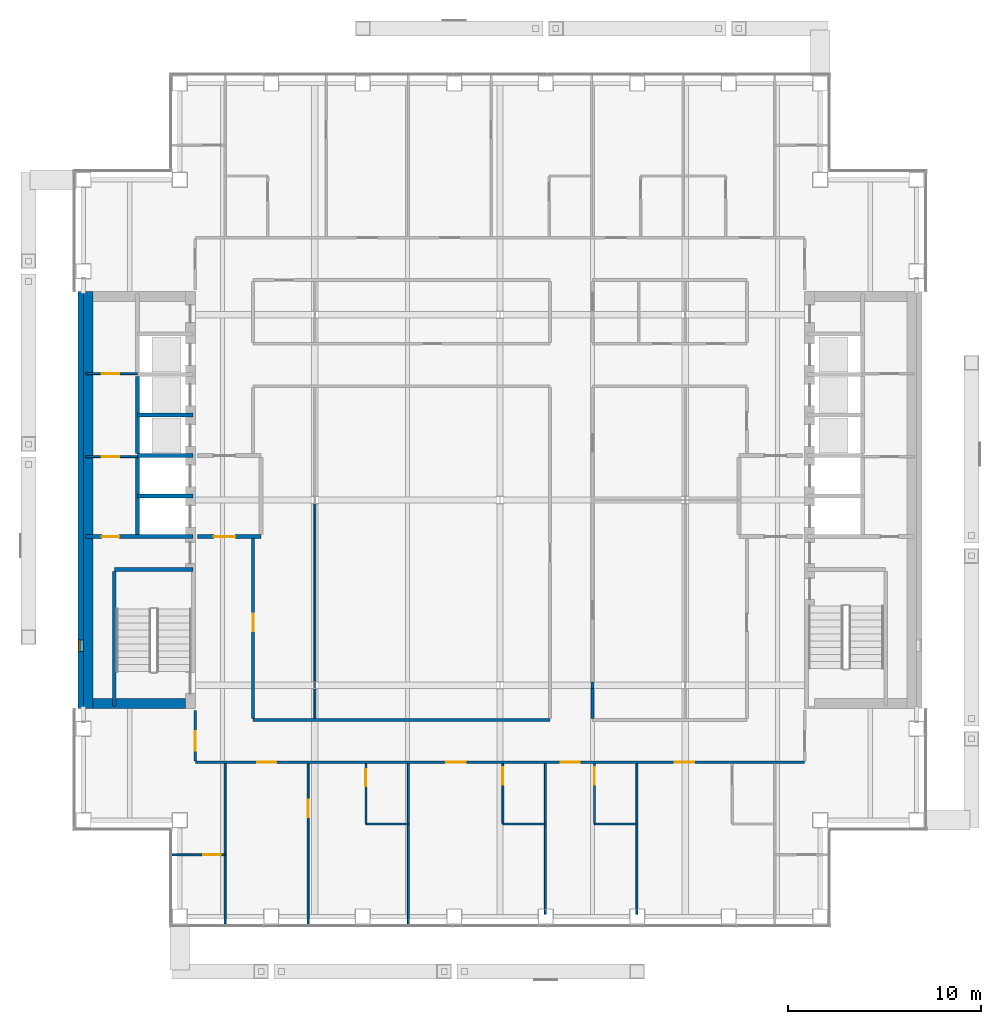
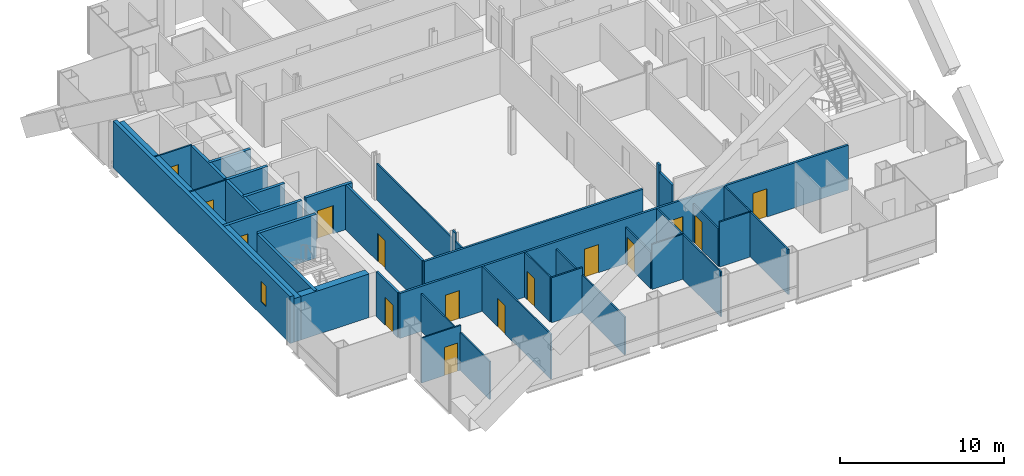
# One storey, part 12 of 18: 35 walls, 15 doors, 1 window, 16 openings.
"""IFC4 building model written with IfcOpenShell, lengths in metres."""

from ifc_helpers import new_model, si_unit, direction, frame, frame_2d, origin, place, context, subcontext, project, spatial, rectangle, extrude, material, layer, layer_set, type_object, element, fill, save


model = new_model("IFC4")

# Units and contexts
model_context = context("Model", 3, precision=1e-05, world=origin(), true_north=direction((0.0, 1.0)))
body_context = subcontext(model_context, "Body", "Model", "MODEL_VIEW")
ifc_project = project(units=[si_unit("LENGTHUNIT", "METRE"), si_unit("AREAUNIT", "SQUARE_METRE"), si_unit("VOLUMEUNIT", "CUBIC_METRE"), si_unit("PLANEANGLEUNIT", "RADIAN"), si_unit("MASSUNIT", "GRAM", prefix="KILO")], contexts=[model_context])

# Site, building, storey
site_placement = place(None, origin())
site = spatial("IfcSite", under=ifc_project, at=site_placement, CompositionType="ELEMENT")
building_placement = place(site_placement, origin())
building = spatial("IfcBuilding", under=site, at=building_placement, Name="Cobrizo Arcos Hotel Tower", CompositionType="ELEMENT")
storey_placement = place(building_placement, frame((0.0, 0.0, 158.5)))
storey = spatial("IfcBuildingStorey", under=building, at=storey_placement, Name="L40", CompositionType="ELEMENT", Elevation=158.5)

# Wall, openings, doors
ifc_material_1 = material(Name="Gypsum board partition")
ifc_layer_1 = layer(ifc_material_1, 0.14990234375)
ifc_layer_set_1 = layer_set([ifc_layer_1], Name="Corridor wall EI 60 150")
wall_type_1 = type_object("IfcWallType", Name="Corridor wall EI 60 150", PredefinedType="PARTITIONING", material=ifc_layer_set_1)
wall_1_placement = place(storey_placement, frame((-15.800048828125, -13.60009765625, 0.0), z_axis=(0.0, 0.0, 1.0), x_axis=(1.0, 0.0, 0.0)))
wall_1 = element("IfcWall", 1, at=wall_1_placement, inside=storey, type_object=wall_type_1, Name="Partition 007", PredefinedType="PARTITIONING", context=body_context, shape_type="SweptSolid", body=[
    extrude(rectangle(XDim=31.60009765625, YDim=0.14990234375, at=frame_2d((15.800048828125, 0.0))), origin(), (0.0, 0.0, 1.0), 3.35009765625),
])
opening_1_placement = place(wall_1_placement, frame((3.2060546875, 0.0, 0.0)))
opening_1 = element("IfcOpeningElement", 2, at=opening_1_placement, cuts=wall_1, Name="Opening GD-05", PredefinedType="OPENING", context=body_context, shape_type="SweptSolid", body=[
    extrude(rectangle(XDim=1.0, YDim=2.10009765625, at=frame_2d((0.5, 1.050048828125))), frame((0.0, 0.0869140625, 0.0), z_axis=(0.0, -1.0, 0.0), x_axis=(1.0, 0.0, 0.0)), (0.0, 0.0, 1.0), 0.173828125),
])
opening_2_placement = place(wall_1_placement, frame((13.013916015625, 0.0, 0.0)))
opening_2 = element("IfcOpeningElement", 3, at=opening_2_placement, cuts=wall_1, Name="Opening GD-06", PredefinedType="OPENING", context=body_context, shape_type="SweptSolid", body=[
    extrude(rectangle(XDim=1.0, YDim=2.10009765625, at=frame_2d((0.5, 1.050048828125))), frame((0.0, 0.0869140625, 0.0), z_axis=(0.0, -1.0, 0.0), x_axis=(1.0, 0.0, 0.0)), (0.0, 0.0, 1.0), 0.173828125),
])
opening_3_placement = place(wall_1_placement, frame((18.943115234375, 0.0, 0.0)))
opening_3 = element("IfcOpeningElement", 4, at=opening_3_placement, cuts=wall_1, Name="Opening GD-07", PredefinedType="OPENING", context=body_context, shape_type="SweptSolid", body=[
    extrude(rectangle(XDim=1.0, YDim=2.10009765625, at=frame_2d((0.5, 1.050048828125))), frame((0.0, 0.0869140625, 0.0), z_axis=(0.0, -1.0, 0.0), x_axis=(1.0, 0.0, 0.0)), (0.0, 0.0, 1.0), 0.173828125),
])
opening_4_placement = place(wall_1_placement, frame((24.8720703125, 0.0, 0.0)))
opening_4 = element("IfcOpeningElement", 5, at=opening_4_placement, cuts=wall_1, Name="Opening GD-08", PredefinedType="OPENING", context=body_context, shape_type="SweptSolid", body=[
    extrude(rectangle(XDim=1.0, YDim=2.10009765625, at=frame_2d((0.5, 1.050048828125))), frame((0.0, 0.0869140625, 0.0), z_axis=(0.0, -1.0, 0.0), x_axis=(1.0, 0.0, 0.0)), (0.0, 0.0, 1.0), 0.173828125),
])
ifc_material_2 = material(Name="Timber door leaf", Category="wood")
door_type_1 = type_object("IfcDoorType", Name="Guest room door FD30S 1000x2100", OperationType="SINGLE_SWING_LEFT", PredefinedType="DOOR", material=ifc_material_2)
door_1_placement = place(opening_1_placement, origin())
door_1 = element("IfcDoor", 6, at=door_1_placement, inside=storey, type_object=door_type_1, Name="Door GD-05", OperationType="SINGLE_SWING_RIGHT", OverallHeight=2.10009765625, OverallWidth=1.0, PredefinedType="DOOR", context=body_context, shape_type="SweptSolid", body=[
    extrude(rectangle(XDim=1.0, YDim=2.10009765625, at=frame_2d((0.5, 1.050048828125))), frame((0.0, 0.02490234375, 0.0), z_axis=(0.0, -1.0, 0.0), x_axis=(1.0, 0.0, 0.0)), (0.0, 0.0, 1.0), 0.050048828125),
])
fill(opening_1, door_1)
door_2_placement = place(opening_2_placement, origin())
door_2 = element("IfcDoor", 7, at=door_2_placement, inside=storey, type_object=door_type_1, Name="Door GD-06", OperationType="SINGLE_SWING_LEFT", OverallHeight=2.10009765625, OverallWidth=1.0, PredefinedType="DOOR", context=body_context, shape_type="SweptSolid", body=[
    extrude(rectangle(XDim=1.0, YDim=2.10009765625, at=frame_2d((0.5, 1.050048828125))), frame((0.0, 0.02490234375, 0.0), z_axis=(0.0, -1.0, 0.0), x_axis=(1.0, 0.0, 0.0)), (0.0, 0.0, 1.0), 0.050048828125),
])
fill(opening_2, door_2)
door_3_placement = place(opening_3_placement, origin())
door_3 = element("IfcDoor", 8, at=door_3_placement, inside=storey, type_object=door_type_1, Name="Door GD-07", OperationType="SINGLE_SWING_RIGHT", OverallHeight=2.10009765625, OverallWidth=1.0, PredefinedType="DOOR", context=body_context, shape_type="SweptSolid", body=[
    extrude(rectangle(XDim=1.0, YDim=2.10009765625, at=frame_2d((0.5, 1.050048828125))), frame((0.0, 0.02490234375, 0.0), z_axis=(0.0, -1.0, 0.0), x_axis=(1.0, 0.0, 0.0)), (0.0, 0.0, 1.0), 0.050048828125),
])
fill(opening_3, door_3)
door_4_placement = place(opening_4_placement, origin())
door_4 = element("IfcDoor", 9, at=door_4_placement, inside=storey, type_object=door_type_1, Name="Door GD-08", OperationType="SINGLE_SWING_LEFT", OverallHeight=2.10009765625, OverallWidth=1.0, PredefinedType="DOOR", context=body_context, shape_type="SweptSolid", body=[
    extrude(rectangle(XDim=1.0, YDim=2.10009765625, at=frame_2d((0.5, 1.050048828125))), frame((0.0, 0.02490234375, 0.0), z_axis=(0.0, -1.0, 0.0), x_axis=(1.0, 0.0, 0.0)), (0.0, 0.0, 1.0), 0.050048828125),
])
fill(opening_4, door_4)

# Wall
wall_2_placement = place(storey_placement, frame((-12.800048828125, -11.39990234375, 0.0), z_axis=(0.0, 0.0, 1.0), x_axis=(1.0, 0.0, 0.0)))
element("IfcWall", 10, at=wall_2_placement, inside=storey, type_object=wall_type_1, Name="Partition 008", PredefinedType="PARTITIONING", context=body_context, shape_type="SweptSolid", body=[
    extrude(rectangle(XDim=15.400146484375, YDim=0.14990234375, at=frame_2d((7.7001953125, 0.0))), origin(), (0.0, 0.0, 1.0), 3.35009765625),
])

# Wall, opening, door
wall_3_placement = place(storey_placement, frame((-15.800048828125, -13.52490234375, 0.0), z_axis=(0.0, 0.0, 1.0), x_axis=(0.0, 1.0, 0.0)))
wall_3 = element("IfcWall", 11, at=wall_3_placement, inside=storey, type_object=wall_type_1, Name="Partition 052", PredefinedType="PARTITIONING", context=body_context, shape_type="SweptSolid", body=[
    extrude(rectangle(XDim=2.60498046875, YDim=0.14990234375, at=frame_2d((1.302490234375, 0.0))), origin(), (0.0, 0.0, 1.0), 3.35009765625),
])
opening_5_placement = place(wall_3_placement, frame((0.52490234375, 0.0, 0.0)))
opening_5 = element("IfcOpeningElement", 12, at=opening_5_placement, cuts=wall_3, Name="Opening GD-09", PredefinedType="OPENING", context=body_context, shape_type="SweptSolid", body=[
    extrude(rectangle(XDim=1.0, YDim=2.10009765625, at=frame_2d((0.5, 1.050048828125))), frame((0.0, 0.0869140625, 0.0), z_axis=(0.0, -1.0, 0.0), x_axis=(1.0, 0.0, 0.0)), (0.0, 0.0, 1.0), 0.173828125),
])
door_5_placement = place(opening_5_placement, origin())
door_5 = element("IfcDoor", 13, at=door_5_placement, inside=storey, type_object=door_type_1, Name="Door GD-09", OperationType="SINGLE_SWING_RIGHT", OverallHeight=2.10009765625, OverallWidth=1.0, PredefinedType="DOOR", context=body_context, shape_type="SweptSolid", body=[
    extrude(rectangle(XDim=1.0, YDim=2.10009765625, at=frame_2d((0.5, 1.050048828125))), frame((0.0, 0.02490234375, 0.0), z_axis=(0.0, -1.0, 0.0), x_axis=(1.0, 0.0, 0.0)), (0.0, 0.0, 1.0), 0.050048828125),
])
fill(opening_5, door_5)

wall_4_placement = place(storey_placement, frame((-12.800048828125, -11.324951171875, 0.0), z_axis=(0.0, 0.0, 1.0), x_axis=(0.0, 1.0, 0.0)))
wall_4 = element("IfcWall", 14, at=wall_4_placement, inside=storey, type_object=wall_type_1, Name="Partition 056", PredefinedType="PARTITIONING", context=body_context, shape_type="SweptSolid", body=[
    extrude(rectangle(XDim=9.324951171875, YDim=0.14990234375, at=frame_2d((4.66259765625, 0.0))), origin(), (0.0, 0.0, 1.0), 3.35009765625),
])
opening_6_placement = place(wall_4_placement, frame((4.52490234375, 0.0, 0.0)))
opening_6 = element("IfcOpeningElement", 15, at=opening_6_placement, cuts=wall_4, Name="Opening RD-17", PredefinedType="OPENING", context=body_context, shape_type="SweptSolid", body=[
    extrude(rectangle(XDim=0.89990234375, YDim=2.10009765625, at=frame_2d((0.449951171875, 1.050048828125))), frame((0.0, 0.0869140625, 0.0), z_axis=(0.0, -1.0, 0.0), x_axis=(1.0, 0.0, 0.0)), (0.0, 0.0, 1.0), 0.173828125),
])
door_type_2 = type_object("IfcDoorType", Name="Room door FD30 900x2100", OperationType="SINGLE_SWING_LEFT", PredefinedType="DOOR", material=ifc_material_2)
door_6_placement = place(opening_6_placement, origin())
door_6 = element("IfcDoor", 16, at=door_6_placement, inside=storey, type_object=door_type_2, Name="Door RD-17", OperationType="SINGLE_SWING_RIGHT", OverallHeight=2.10009765625, OverallWidth=0.89990234375, PredefinedType="DOOR", context=body_context, shape_type="SweptSolid", body=[
    extrude(rectangle(XDim=0.89990234375, YDim=2.10009765625, at=frame_2d((0.449951171875, 1.050048828125))), frame((0.0, 0.02490234375, 0.0), z_axis=(0.0, -1.0, 0.0), x_axis=(1.0, 0.0, 0.0)), (0.0, 0.0, 1.0), 0.050048828125),
])
fill(opening_6, door_6)

# Walls
wall_5_placement = place(storey_placement, frame((4.800048828125, -11.324951171875, 0.0), z_axis=(0.0, 0.0, 1.0), x_axis=(0.0, 1.0, 0.0)))
element("IfcWall", 17, at=wall_5_placement, inside=storey, type_object=wall_type_1, Name="Partition 082", PredefinedType="PARTITIONING", context=body_context, shape_type="SweptSolid", body=[
    extrude(rectangle(XDim=1.56103515625, YDim=0.14990234375, at=frame_2d((0.780517578125, 0.0))), origin(), (0.0, 0.0, 1.0), 2.81689453125),
])
wall_6_placement = place(storey_placement, frame((4.800048828125, -9.763916015625, 0.0), z_axis=(0.0, 0.0, 1.0), x_axis=(0.0, 1.0, 0.0)))
element("IfcWall", 18, at=wall_6_placement, inside=storey, type_object=wall_type_1, Name="Partition 083", PredefinedType="PARTITIONING", context=body_context, shape_type="SweptSolid", body=[
    extrude(rectangle(XDim=0.327880859375, YDim=0.14990234375, at=frame_2d((0.1640625, 0.0))), origin(), (0.0, 0.0, 1.0), 3.35009765625),
])

# Wall, opening, window
ifc_material_3 = material(Name="Aluminium composite panel pale metal", Category="aluminium")
ifc_layer_2 = layer(ifc_material_3, 0.27490234375)
ifc_layer_set_2 = layer_set([ifc_layer_2], Name="EW-1 insulated panel wall 275")
wall_type_2 = type_object("IfcWallType", Name="EW-1 insulated panel wall 275", PredefinedType="SOLIDWALL", material=ifc_layer_set_2)
wall_7_placement = place(storey_placement, frame((-21.737548828125, 10.800048828125, 0.0), z_axis=(0.0, 0.0, 1.0), x_axis=(0.0, -1.0, 0.0)))
wall_7 = element("IfcWall", 19, at=wall_7_placement, inside=storey, type_object=wall_type_2, Name="Core face wall L40 W", PredefinedType="SOLIDWALL", context=body_context, shape_type="SweptSolid", body=[
    extrude(rectangle(XDim=21.60009765625, YDim=0.27490234375, at=frame_2d((10.800048828125, 0.0))), origin(), (0.0, 0.0, 1.0), 3.5),
])
opening_7_placement = place(wall_7_placement, frame((18.050048828125, 0.0, 1.0)))
opening_7 = element("IfcOpeningElement", 20, at=opening_7_placement, cuts=wall_7, Name="Opening W-88", PredefinedType="OPENING", context=body_context, shape_type="SweptSolid", body=[
    extrude(rectangle(XDim=0.60009765625, YDim=1.5, at=frame_2d((0.300048828125, 0.75))), frame((0.0, 0.1494140625, 0.0), z_axis=(0.0, -1.0, 0.0), x_axis=(1.0, 0.0, 0.0)), (0.0, 0.0, 1.0), 0.298828125),
])
ifc_material_4 = material(Name="Aluminium 6063-T6 and clear laminated glass", Category="aluminium")
window_type = type_object("IfcWindowType", Name="W-C1 core stair slot window 600x1500", PartitioningType="SINGLE_PANEL", PredefinedType="WINDOW", material=ifc_material_4)
window_placement = place(opening_7_placement, origin())
window = element("IfcWindow", 21, at=window_placement, inside=storey, type_object=window_type, Name="Core face wall L40 W window W-88", OverallHeight=1.5, OverallWidth=0.60009765625, PartitioningType="SINGLE_PANEL", PredefinedType="WINDOW", context=body_context, shape_type="SweptSolid", body=[
    extrude(rectangle(XDim=0.60009765625, YDim=1.5, at=frame_2d((0.300048828125, 0.75))), frame((0.0, -0.04736328125, 0.0), z_axis=(0.0, -1.0, 0.0), x_axis=(1.0, 0.0, 0.0)), (0.0, 0.0, 1.0), 0.06005859375),
])
fill(opening_7, window)

# Wall, opening, door
ifc_layer_3 = layer(ifc_material_1, 0.10009765625)
ifc_layer_set_3 = layer_set([ifc_layer_3], Name="Partition EI 30 100")
wall_type_3 = type_object("IfcWallType", Name="Partition EI 30 100", PredefinedType="PARTITIONING", material=ifc_layer_set_3)
wall_8_placement = place(storey_placement, frame((-17.030029296875, -18.39990234375, 0.0), z_axis=(0.0, 0.0, 1.0), x_axis=(1.0, 0.0, 0.0)))
wall_8 = element("IfcWall", 22, at=wall_8_placement, inside=storey, type_object=wall_type_3, Name="Partition 001", PredefinedType="PARTITIONING", context=body_context, shape_type="SweptSolid", body=[
    extrude(rectangle(XDim=2.780029296875, YDim=0.10009765625, at=frame_2d((1.39013671875, 0.0))), origin(), (0.0, 0.0, 1.0), 3.35009765625),
])
opening_8_placement = place(wall_8_placement, frame((1.639892578125, 0.0, 0.0)))
opening_8 = element("IfcOpeningElement", 23, at=opening_8_placement, cuts=wall_8, Name="Opening ED-10", PredefinedType="OPENING", context=body_context, shape_type="SweptSolid", body=[
    extrude(rectangle(XDim=0.89990234375, YDim=2.10009765625, at=frame_2d((0.449951171875, 1.050048828125))), frame((0.0, 0.06201171875, 0.0), z_axis=(0.0, -1.0, 0.0), x_axis=(1.0, 0.0, 0.0)), (0.0, 0.0, 1.0), 0.1240234375),
])
door_type_3 = type_object("IfcDoorType", Name="En-suite door 900x2100", OperationType="SINGLE_SWING_LEFT", PredefinedType="DOOR", material=ifc_material_2)
door_7_placement = place(opening_8_placement, origin())
door_7 = element("IfcDoor", 24, at=door_7_placement, inside=storey, type_object=door_type_3, Name="Door ED-10", OperationType="SINGLE_SWING_RIGHT", OverallHeight=2.10009765625, OverallWidth=0.89990234375, PredefinedType="DOOR", context=body_context, shape_type="SweptSolid", body=[
    extrude(rectangle(XDim=0.89990234375, YDim=2.10009765625, at=frame_2d((0.449951171875, 1.050048828125))), frame((0.0, 0.02490234375, 0.0), z_axis=(0.0, -1.0, 0.0), x_axis=(1.0, 0.0, 0.0)), (0.0, 0.0, 1.0), 0.050048828125),
])
fill(opening_8, door_7)

# Walls
wall_9_placement = place(storey_placement, frame((-6.949951171875, -16.800048828125, 0.0), z_axis=(0.0, 0.0, 1.0), x_axis=(1.0, 0.0, 0.0)))
element("IfcWall", 25, at=wall_9_placement, inside=storey, type_object=wall_type_3, Name="Partition 003", PredefinedType="PARTITIONING", context=body_context, shape_type="SweptSolid", body=[
    extrude(rectangle(XDim=2.199951171875, YDim=0.10009765625, at=frame_2d((1.10009765625, 0.0))), origin(), (0.0, 0.0, 1.0), 3.35009765625),
])
for number, where, z_axis, x_axis, name in (
    (26, (0.14990234375, -16.800048828125, 0.0), (0.0, 0.0, 1.0), (1.0, 0.0, 0.0), "Partition 004"),
    (27, (4.89990234375, -16.800048828125, 0.0), (0.0, 0.0, 1.0), (1.0, 0.0, 0.0), "Partition 005"),
):
    element("IfcWall", number, at=place(storey_placement, frame(where, z_axis=z_axis, x_axis=x_axis)), inside=storey, type_object=wall_type_3, Name=name, PredefinedType="PARTITIONING", context=body_context, shape_type="SweptSolid", body=[
        extrude(rectangle(XDim=2.2001953125, YDim=0.10009765625, at=frame_2d((1.10009765625, 0.0))), origin(), (0.0, 0.0, 1.0), 3.35009765625),
    ])

# Wall, opening, door
wall_10_placement = place(storey_placement, frame((-21.47998046875, 2.25, 0.0), z_axis=(0.0, 0.0, 1.0), x_axis=(1.0, 0.0, 0.0)))
wall_10 = element("IfcWall", 28, at=wall_10_placement, inside=storey, type_object=wall_type_3, Name="Partition 021", PredefinedType="PARTITIONING", context=body_context, shape_type="SweptSolid", body=[
    extrude(rectangle(XDim=2.679931640625, YDim=0.10009765625, at=frame_2d((1.33984375, 0.0))), origin(), (0.0, 0.0, 1.0), 3.25),
])
opening_9_placement = place(wall_10_placement, frame((0.830078125, 0.0, 0.0)))
opening_9 = element("IfcOpeningElement", 29, at=opening_9_placement, cuts=wall_10, Name="Opening RD-02", PredefinedType="OPENING", context=body_context, shape_type="SweptSolid", body=[
    extrude(rectangle(XDim=0.89990234375, YDim=2.10009765625, at=frame_2d((0.449951171875, 1.050048828125))), frame((0.0, 0.06201171875, 0.0), z_axis=(0.0, -1.0, 0.0), x_axis=(1.0, 0.0, 0.0)), (0.0, 0.0, 1.0), 0.1240234375),
])
door_8_placement = place(opening_9_placement, origin())
door_8 = element("IfcDoor", 30, at=door_8_placement, inside=storey, type_object=door_type_2, Name="Door RD-02", OperationType="SINGLE_SWING_RIGHT", OverallHeight=2.10009765625, OverallWidth=0.89990234375, PredefinedType="DOOR", context=body_context, shape_type="SweptSolid", body=[
    extrude(rectangle(XDim=0.89990234375, YDim=2.10009765625, at=frame_2d((0.449951171875, 1.050048828125))), frame((0.0, 0.02490234375, 0.0), z_axis=(0.0, -1.0, 0.0), x_axis=(1.0, 0.0, 0.0)), (0.0, 0.0, 1.0), 0.050048828125),
])
fill(opening_9, door_8)

wall_11_placement = place(storey_placement, frame((-21.47998046875, 6.550048828125, 0.0), z_axis=(0.0, 0.0, 1.0), x_axis=(1.0, 0.0, 0.0)))
wall_11 = element("IfcWall", 31, at=wall_11_placement, inside=storey, type_object=wall_type_3, Name="Partition 033", PredefinedType="PARTITIONING", context=body_context, shape_type="SweptSolid", body=[
    extrude(rectangle(XDim=2.679931640625, YDim=0.10009765625, at=frame_2d((1.33984375, 0.0))), origin(), (0.0, 0.0, 1.0), 3.25),
])
opening_10_placement = place(wall_11_placement, frame((0.830078125, 0.0, 0.0)))
opening_10 = element("IfcOpeningElement", 32, at=opening_10_placement, cuts=wall_11, Name="Opening RD-03", PredefinedType="OPENING", context=body_context, shape_type="SweptSolid", body=[
    extrude(rectangle(XDim=0.89990234375, YDim=2.10009765625, at=frame_2d((0.449951171875, 1.050048828125))), frame((0.0, 0.06201171875, 0.0), z_axis=(0.0, -1.0, 0.0), x_axis=(1.0, 0.0, 0.0)), (0.0, 0.0, 1.0), 0.1240234375),
])
door_9_placement = place(opening_10_placement, origin())
door_9 = element("IfcDoor", 33, at=door_9_placement, inside=storey, type_object=door_type_2, Name="Door RD-03", OperationType="SINGLE_SWING_LEFT", OverallHeight=2.10009765625, OverallWidth=0.89990234375, PredefinedType="DOOR", context=body_context, shape_type="SweptSolid", body=[
    extrude(rectangle(XDim=0.89990234375, YDim=2.10009765625, at=frame_2d((0.449951171875, 1.050048828125))), frame((0.0, 0.02490234375, 0.0), z_axis=(0.0, -1.0, 0.0), x_axis=(1.0, 0.0, 0.0)), (0.0, 0.0, 1.0), 0.050048828125),
])
fill(opening_10, door_9)

# Wall
wall_12_placement = place(storey_placement, frame((-14.25, -22.030029296875, 0.0), z_axis=(0.0, 0.0, 1.0), x_axis=(0.0, 1.0, 0.0)))
element("IfcWall", 34, at=wall_12_placement, inside=storey, type_object=wall_type_3, Name="Partition 054", PredefinedType="PARTITIONING", context=body_context, shape_type="SweptSolid", body=[
    extrude(rectangle(XDim=8.35498046875, YDim=0.10009765625, at=frame_2d((4.177490234375, 0.0))), origin(), (0.0, 0.0, 1.0), 2.81689453125),
])

# Wall, opening, door
wall_13_placement = place(storey_placement, frame((-9.949951171875, -22.030029296875, 0.0), z_axis=(0.0, 0.0, 1.0), x_axis=(0.0, 1.0, 0.0)))
wall_13 = element("IfcWall", 35, at=wall_13_placement, inside=storey, type_object=wall_type_3, Name="Partition 062", PredefinedType="PARTITIONING", context=body_context, shape_type="SweptSolid", body=[
    extrude(rectangle(XDim=8.35498046875, YDim=0.10009765625, at=frame_2d((4.177490234375, 0.0))), origin(), (0.0, 0.0, 1.0), 3.35009765625),
])
opening_11_placement = place(wall_13_placement, frame((5.580078125, 0.0, 0.0)))
opening_11 = element("IfcOpeningElement", 36, at=opening_11_placement, cuts=wall_13, Name="Opening RD-10", PredefinedType="OPENING", context=body_context, shape_type="SweptSolid", body=[
    extrude(rectangle(XDim=0.89990234375, YDim=2.10009765625, at=frame_2d((0.449951171875, 1.050048828125))), frame((0.0, 0.06201171875, 0.0), z_axis=(0.0, -1.0, 0.0), x_axis=(1.0, 0.0, 0.0)), (0.0, 0.0, 1.0), 0.1240234375),
])
door_10_placement = place(opening_11_placement, origin())
door_10 = element("IfcDoor", 37, at=door_10_placement, inside=storey, type_object=door_type_2, Name="Door RD-10", OperationType="SINGLE_SWING_RIGHT", OverallHeight=2.10009765625, OverallWidth=0.89990234375, PredefinedType="DOOR", context=body_context, shape_type="SweptSolid", body=[
    extrude(rectangle(XDim=0.89990234375, YDim=2.10009765625, at=frame_2d((0.449951171875, 1.050048828125))), frame((0.0, 0.02490234375, 0.0), z_axis=(0.0, -1.0, 0.0), x_axis=(1.0, 0.0, 0.0)), (0.0, 0.0, 1.0), 0.050048828125),
])
fill(opening_11, door_10)

# Walls
wall_14_placement = place(storey_placement, frame((-9.60009765625, -11.324951171875, 0.0), z_axis=(0.0, 0.0, 1.0), x_axis=(0.0, 1.0, 0.0)))
element("IfcWall", 38, at=wall_14_placement, inside=storey, type_object=wall_type_3, Name="Partition 063", PredefinedType="PARTITIONING", context=body_context, shape_type="SweptSolid", body=[
    extrude(rectangle(XDim=1.537841796875, YDim=0.10009765625, at=frame_2d((0.76904296875, 0.0))), origin(), (0.0, 0.0, 1.0), 2.72802734375),
])
wall_15_placement = place(storey_placement, frame((-9.60009765625, -9.787109375, 0.0), z_axis=(0.0, 0.0, 1.0), x_axis=(0.0, 1.0, 0.0)))
element("IfcWall", 39, at=wall_15_placement, inside=storey, type_object=wall_type_3, Name="Partition 064", PredefinedType="PARTITIONING", context=body_context, shape_type="SweptSolid", body=[
    extrude(rectangle(XDim=0.3740234375, YDim=0.10009765625, at=frame_2d((0.18701171875, 0.0))), origin(), (0.0, 0.0, 1.0), 3.35009765625),
])
wall_16_placement = place(storey_placement, frame((-9.60009765625, -9.4130859375, 0.0), z_axis=(0.0, 0.0, 1.0), x_axis=(0.0, 1.0, 0.0)))
element("IfcWall", 40, at=wall_16_placement, inside=storey, type_object=wall_type_3, Name="Partition 065", PredefinedType="PARTITIONING", context=body_context, shape_type="SweptSolid", body=[
    extrude(rectangle(XDim=9.22607421875, YDim=0.10009765625, at=frame_2d((4.613037109375, 0.0))), origin(), (0.0, 0.0, 1.0), 2.72802734375),
])

# Wall, opening, door
wall_17_placement = place(storey_placement, frame((-6.949951171875, -16.75, 0.0), z_axis=(0.0, 0.0, 1.0), x_axis=(0.0, 1.0, 0.0)))
wall_17 = element("IfcWall", 41, at=wall_17_placement, inside=storey, type_object=wall_type_3, Name="Partition 072", PredefinedType="PARTITIONING", context=body_context, shape_type="SweptSolid", body=[
    extrude(rectangle(XDim=3.074951171875, YDim=0.10009765625, at=frame_2d((1.53759765625, 0.0))), origin(), (0.0, 0.0, 1.0), 3.35009765625),
])
opening_12_placement = place(wall_17_placement, frame((1.89990234375, 0.0, 0.0)))
opening_12 = element("IfcOpeningElement", 42, at=opening_12_placement, cuts=wall_17, Name="Opening ED-06", PredefinedType="OPENING", context=body_context, shape_type="SweptSolid", body=[
    extrude(rectangle(XDim=0.89990234375, YDim=2.10009765625, at=frame_2d((0.449951171875, 1.050048828125))), frame((0.0, 0.06201171875, 0.0), z_axis=(0.0, -1.0, 0.0), x_axis=(1.0, 0.0, 0.0)), (0.0, 0.0, 1.0), 0.1240234375),
])
door_11_placement = place(opening_12_placement, origin())
door_11 = element("IfcDoor", 43, at=door_11_placement, inside=storey, type_object=door_type_3, Name="Door ED-06", OperationType="SINGLE_SWING_RIGHT", OverallHeight=2.10009765625, OverallWidth=0.89990234375, PredefinedType="DOOR", context=body_context, shape_type="SweptSolid", body=[
    extrude(rectangle(XDim=0.89990234375, YDim=2.10009765625, at=frame_2d((0.449951171875, 1.050048828125))), frame((0.0, 0.02490234375, 0.0), z_axis=(0.0, -1.0, 0.0), x_axis=(1.0, 0.0, 0.0)), (0.0, 0.0, 1.0), 0.050048828125),
])
fill(opening_12, door_11)

# Wall
wall_18_placement = place(storey_placement, frame((-4.75, -22.030029296875, 0.0), z_axis=(0.0, 0.0, 1.0), x_axis=(0.0, 1.0, 0.0)))
element("IfcWall", 44, at=wall_18_placement, inside=storey, type_object=wall_type_3, Name="Partition 073", PredefinedType="PARTITIONING", context=body_context, shape_type="SweptSolid", body=[
    extrude(rectangle(XDim=8.35498046875, YDim=0.10009765625, at=frame_2d((4.177490234375, 0.0))), origin(), (0.0, 0.0, 1.0), 2.81689453125),
])

# Wall, opening, door
wall_19_placement = place(storey_placement, frame((0.14990234375, -16.75, 0.0), z_axis=(0.0, 0.0, 1.0), x_axis=(0.0, 1.0, 0.0)))
wall_19 = element("IfcWall", 45, at=wall_19_placement, inside=storey, type_object=wall_type_3, Name="Partition 076", PredefinedType="PARTITIONING", context=body_context, shape_type="SweptSolid", body=[
    extrude(rectangle(XDim=3.074951171875, YDim=0.10009765625, at=frame_2d((1.53759765625, 0.0))), origin(), (0.0, 0.0, 1.0), 2.72802734375),
])
opening_13_placement = place(wall_19_placement, frame((1.99609375, 0.0, 0.0)))
opening_13 = element("IfcOpeningElement", 46, at=opening_13_placement, cuts=wall_19, Name="Opening ED-07", PredefinedType="OPENING", context=body_context, shape_type="SweptSolid", body=[
    extrude(rectangle(XDim=0.89990234375, YDim=2.10009765625, at=frame_2d((0.449951171875, 1.050048828125))), frame((0.0, 0.06201171875, 0.0), z_axis=(0.0, -1.0, 0.0), x_axis=(1.0, 0.0, 0.0)), (0.0, 0.0, 1.0), 0.1240234375),
])
door_12_placement = place(opening_13_placement, origin())
door_12 = element("IfcDoor", 47, at=door_12_placement, inside=storey, type_object=door_type_3, Name="Door ED-07", OperationType="SINGLE_SWING_RIGHT", OverallHeight=2.10009765625, OverallWidth=0.89990234375, PredefinedType="DOOR", context=body_context, shape_type="SweptSolid", body=[
    extrude(rectangle(XDim=0.89990234375, YDim=2.10009765625, at=frame_2d((0.449951171875, 1.050048828125))), frame((0.0, 0.02490234375, 0.0), z_axis=(0.0, -1.0, 0.0), x_axis=(1.0, 0.0, 0.0)), (0.0, 0.0, 1.0), 0.050048828125),
])
fill(opening_13, door_12)

# Wall
wall_20_placement = place(storey_placement, frame((2.35009765625, -21.47998046875, 0.0), z_axis=(0.0, 0.0, 1.0), x_axis=(0.0, 1.0, 0.0)))
element("IfcWall", 48, at=wall_20_placement, inside=storey, type_object=wall_type_3, Name="Partition 077", PredefinedType="PARTITIONING", context=body_context, shape_type="SweptSolid", body=[
    extrude(rectangle(XDim=7.804931640625, YDim=0.10009765625, at=frame_2d((3.90234375, 0.0))), origin(), (0.0, 0.0, 1.0), 3.35009765625),
])

# Wall, opening, door
wall_21_placement = place(storey_placement, frame((4.89990234375, -16.75, 0.0), z_axis=(0.0, 0.0, 1.0), x_axis=(0.0, 1.0, 0.0)))
wall_21 = element("IfcWall", 49, at=wall_21_placement, inside=storey, type_object=wall_type_3, Name="Partition 090", PredefinedType="PARTITIONING", context=body_context, shape_type="SweptSolid", body=[
    extrude(rectangle(XDim=3.074951171875, YDim=0.10009765625, at=frame_2d((1.53759765625, 0.0))), origin(), (0.0, 0.0, 1.0), 2.81689453125),
])
opening_14_placement = place(wall_21_placement, frame((1.99609375, 0.0, 0.0)))
opening_14 = element("IfcOpeningElement", 50, at=opening_14_placement, cuts=wall_21, Name="Opening ED-08", PredefinedType="OPENING", context=body_context, shape_type="SweptSolid", body=[
    extrude(rectangle(XDim=0.89990234375, YDim=2.10009765625, at=frame_2d((0.449951171875, 1.050048828125))), frame((0.0, 0.06201171875, 0.0), z_axis=(0.0, -1.0, 0.0), x_axis=(1.0, 0.0, 0.0)), (0.0, 0.0, 1.0), 0.1240234375),
])
door_13_placement = place(opening_14_placement, origin())
door_13 = element("IfcDoor", 51, at=door_13_placement, inside=storey, type_object=door_type_3, Name="Door ED-08", OperationType="SINGLE_SWING_RIGHT", OverallHeight=2.10009765625, OverallWidth=0.89990234375, PredefinedType="DOOR", context=body_context, shape_type="SweptSolid", body=[
    extrude(rectangle(XDim=0.89990234375, YDim=2.10009765625, at=frame_2d((0.449951171875, 1.050048828125))), frame((0.0, 0.02490234375, 0.0), z_axis=(0.0, -1.0, 0.0), x_axis=(1.0, 0.0, 0.0)), (0.0, 0.0, 1.0), 0.050048828125),
])
fill(opening_14, door_13)

# Walls
wall_22_placement = place(storey_placement, frame((7.10009765625, -21.47998046875, 0.0), z_axis=(0.0, 0.0, 1.0), x_axis=(0.0, 1.0, 0.0)))
element("IfcWall", 52, at=wall_22_placement, inside=storey, type_object=wall_type_3, Name="Partition 091", PredefinedType="PARTITIONING", context=body_context, shape_type="SweptSolid", body=[
    extrude(rectangle(XDim=7.804931640625, YDim=0.10009765625, at=frame_2d((3.90234375, 0.0))), origin(), (0.0, 0.0, 1.0), 3.35009765625),
])
ifc_material_5 = material(Name="Concrete f'c 50 MPa", Category="concrete")
ifc_layer_4 = layer(ifc_material_5, 0.5)
ifc_layer_set_4 = layer_set([ifc_layer_4], Name="RC core wall 500 f'c 50")
wall_type_4 = type_object("IfcWallType", Name="RC core wall 500 f'c 50", PredefinedType="SHEAR", material=ifc_layer_set_4)
wall_23_placement = place(storey_placement, frame((-21.35009765625, -10.800048828125, 0.0), z_axis=(0.0, 0.0, 1.0), x_axis=(0.0, 1.0, 0.0)))
element("IfcWall", 53, at=wall_23_placement, inside=storey, type_object=wall_type_4, Name="Core wall CW3, west core, outer face, L40", PredefinedType="SHEAR", context=body_context, shape_type="SweptSolid", body=[
    extrude(rectangle(XDim=21.60009765625, YDim=0.5, at=frame_2d((10.800048828125, 0.0))), origin(), (0.0, 0.0, 1.0), 3.25),
])
wall_24_placement = place(storey_placement, frame((-21.10009765625, -10.550048828125, 0.0), z_axis=(0.0, 0.0, 1.0), x_axis=(1.0, 0.0, 0.0)))
element("IfcWall", 54, at=wall_24_placement, inside=storey, type_object=wall_type_4, Name="Core wall CW3, west core, south end, L40", PredefinedType="SHEAR", context=body_context, shape_type="SweptSolid", body=[
    extrude(rectangle(XDim=4.800048828125, YDim=0.5, at=frame_2d((2.39990234375, 0.0))), origin(), (0.0, 0.0, 1.0), 3.25),
])

# Wall, opening, door
ifc_layer_5 = layer(ifc_material_1, 0.199951171875)
ifc_layer_set_5 = layer_set([ifc_layer_5], Name="Shaft wall EI 120 200")
wall_type_5 = type_object("IfcWallType", Name="Shaft wall EI 120 200", PredefinedType="PARTITIONING", material=ifc_layer_set_5)
wall_25_placement = place(storey_placement, frame((-21.47998046875, -1.89990234375, 0.0), z_axis=(0.0, 0.0, 1.0), x_axis=(1.0, 0.0, 0.0)))
wall_25 = element("IfcWall", 55, at=wall_25_placement, inside=storey, type_object=wall_type_5, Name="Partition 012", PredefinedType="PARTITIONING", context=body_context, shape_type="SweptSolid", body=[
    extrude(rectangle(XDim=5.56005859375, YDim=0.199951171875, at=frame_2d((2.780029296875, 0.0))), origin(), (0.0, 0.0, 1.0), 3.25),
])
opening_15_placement = place(wall_25_placement, frame((0.830078125, 0.0, 0.0)))
opening_15 = element("IfcOpeningElement", 56, at=opening_15_placement, cuts=wall_25, Name="Opening RD-01", PredefinedType="OPENING", context=body_context, shape_type="SweptSolid", body=[
    extrude(rectangle(XDim=0.89990234375, YDim=2.10009765625, at=frame_2d((0.449951171875, 1.050048828125))), frame((0.0, 0.112060546875, 0.0), z_axis=(0.0, -1.0, 0.0), x_axis=(1.0, 0.0, 0.0)), (0.0, 0.0, 1.0), 0.223876953125),
])
door_14_placement = place(opening_15_placement, origin())
door_14 = element("IfcDoor", 57, at=door_14_placement, inside=storey, type_object=door_type_2, Name="Door RD-01", OperationType="SINGLE_SWING_LEFT", OverallHeight=2.10009765625, OverallWidth=0.89990234375, PredefinedType="DOOR", context=body_context, shape_type="SweptSolid", body=[
    extrude(rectangle(XDim=0.89990234375, YDim=2.10009765625, at=frame_2d((0.449951171875, 1.050048828125))), frame((0.0, 0.02490234375, 0.0), z_axis=(0.0, -1.0, 0.0), x_axis=(1.0, 0.0, 0.0)), (0.0, 0.0, 1.0), 0.050048828125),
])
fill(opening_15, door_14)

wall_26_placement = place(storey_placement, frame((-15.679931640625, -1.89990234375, 0.0), z_axis=(0.0, 0.0, 1.0), x_axis=(1.0, 0.0, 0.0)))
wall_26 = element("IfcWall", 58, at=wall_26_placement, inside=storey, type_object=wall_type_5, Name="Partition 013", PredefinedType="PARTITIONING", context=body_context, shape_type="SweptSolid", body=[
    extrude(rectangle(XDim=3.280029296875, YDim=0.199951171875, at=frame_2d((1.64013671875, 0.0))), origin(), (0.0, 0.0, 1.0), 3.35009765625),
])
opening_16_placement = place(wall_26_placement, frame((0.840087890625, 0.0, 0.0)))
opening_16 = element("IfcOpeningElement", 59, at=opening_16_placement, cuts=wall_26, Name="Opening FD-03", PredefinedType="OPENING", context=body_context, shape_type="SweptSolid", body=[
    extrude(rectangle(XDim=1.10009765625, YDim=2.10009765625, at=frame_2d((0.550048828125, 1.050048828125))), frame((0.0, 0.112060546875, 0.0), z_axis=(0.0, -1.0, 0.0), x_axis=(1.0, 0.0, 0.0)), (0.0, 0.0, 1.0), 0.223876953125),
])
ifc_material_6 = material(Name="Steel door leaf", Category="steel")
door_type_4 = type_object("IfcDoorType", Name="Fire door FD60 1100x2100", OperationType="SINGLE_SWING_LEFT", PredefinedType="DOOR", material=ifc_material_6)
door_15_placement = place(opening_16_placement, origin())
door_15 = element("IfcDoor", 60, at=door_15_placement, inside=storey, type_object=door_type_4, Name="Door FD-03", OperationType="SINGLE_SWING_LEFT", OverallHeight=2.10009765625, OverallWidth=1.10009765625, PredefinedType="DOOR", context=body_context, shape_type="SweptSolid", body=[
    extrude(rectangle(XDim=1.10009765625, YDim=2.10009765625, at=frame_2d((0.550048828125, 1.050048828125))), frame((0.0, 0.02490234375, 0.0), z_axis=(0.0, -1.0, 0.0), x_axis=(1.0, 0.0, 0.0)), (0.0, 0.0, 1.0), 0.050048828125),
])
fill(opening_16, door_15)

# Walls
for number, where, z_axis, x_axis, name in (
    (61, (-18.800048828125, 0.199951171875, 0.0), (0.0, 0.0, 1.0), (1.0, 0.0, 0.0), "Partition 019"),
    (62, (-18.800048828125, 2.300048828125, 0.0), (0.0, 0.0, 1.0), (1.0, 0.0, 0.0), "Partition 023"),
    (63, (-18.800048828125, 4.39990234375, 0.0), (0.0, 0.0, 1.0), (1.0, 0.0, 0.0), "Partition 027"),
):
    element("IfcWall", number, at=place(storey_placement, frame(where, z_axis=z_axis, x_axis=x_axis)), inside=storey, type_object=wall_type_5, Name=name, PredefinedType="PARTITIONING", context=body_context, shape_type="SweptSolid", body=[
        extrude(rectangle(XDim=2.880126953125, YDim=0.199951171875, at=frame_2d((1.43994140625, 0.0))), origin(), (0.0, 0.0, 1.0), 3.25),
    ])
for number, where, z_axis, x_axis, name in (
    (64, (-18.800048828125, -1.800048828125, 0.0), (0.0, 0.0, 1.0), (0.0, 1.0, 0.0), "Partition 049"),
    (65, (-18.800048828125, 2.39990234375, 0.0), (0.0, 0.0, 1.0), (0.0, 1.0, 0.0), "Partition 050"),
):
    element("IfcWall", number, at=place(storey_placement, frame(where, z_axis=z_axis, x_axis=x_axis)), inside=storey, type_object=wall_type_5, Name=name, PredefinedType="PARTITIONING", context=body_context, shape_type="SweptSolid", body=[
        extrude(rectangle(XDim=4.0, YDim=0.199951171875, at=frame_2d((2.0, 0.0))), origin(), (0.0, 0.0, 1.0), 3.25),
    ])
ifc_material_7 = material(Name="Concrete f'c 40 MPa", Category="concrete")
ifc_layer_6 = layer(ifc_material_7, 0.199951171875)
ifc_layer_set_6 = layer_set([ifc_layer_6], Name="Stair shaft wall 200")
wall_type_6 = type_object("IfcWallType", Name="Stair shaft wall 200", PredefinedType="SHEAR", material=ifc_layer_set_6)
wall_27_placement = place(storey_placement, frame((-20.0, -3.60009765625, 0.0), z_axis=(0.0, 0.0, 1.0), x_axis=(1.0, 0.0, 0.0)))
element("IfcWall", 66, at=wall_27_placement, inside=storey, type_object=wall_type_6, Name="Stair shaft wall W", PredefinedType="SHEAR", context=body_context, shape_type="SweptSolid", body=[
    extrude(rectangle(XDim=4.080078125, YDim=0.199951171875, at=frame_2d((2.0400390625, 0.0))), origin(), (0.0, 0.0, 1.0), 3.25),
])
wall_28_placement = place(storey_placement, frame((-20.0, -10.679931640625, 0.0), z_axis=(0.0, 0.0, 1.0), x_axis=(0.0, 1.0, 0.0)))
element("IfcWall", 67, at=wall_28_placement, inside=storey, type_object=wall_type_6, Name="Stair shaft wall W", PredefinedType="SHEAR", context=body_context, shape_type="SweptSolid", body=[
    extrude(rectangle(XDim=6.97998046875, YDim=0.199951171875, at=frame_2d((3.489990234375, 0.0))), origin(), (0.0, 0.0, 1.0), 3.25),
])

save(model, "model.ifc")
